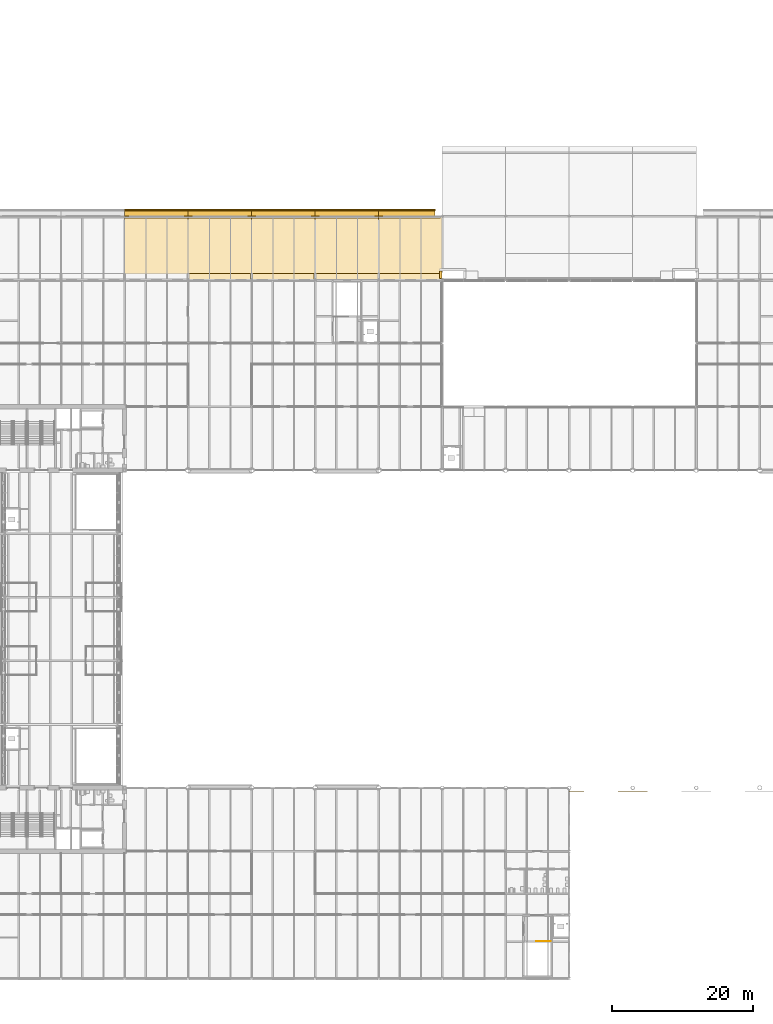
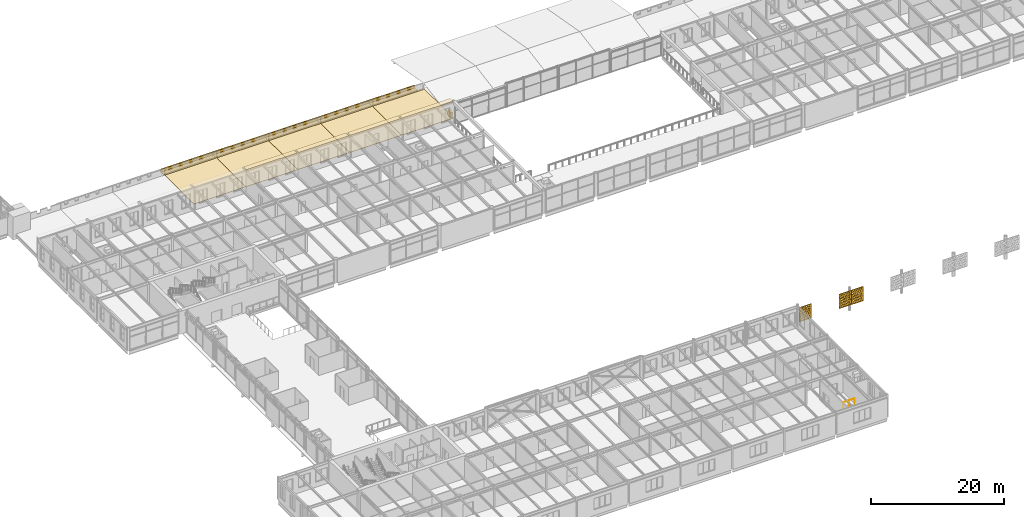
# One storey, part 105 of 123: 15 coverings, 8 shading devices, 1 railing.
"""IFC4 building model written with IfcOpenShell, lengths in metres."""

from ifc_helpers import new_model, si_unit, direction, frame, origin, origin_2d, place, context, subcontext, project, spatial, polyline, rectangle, circle, outline, extrude, material, layer, layer_set, type_object, element, save


model = new_model("IFC4")

# Units and contexts
model_context = context("Model", 3, precision=1e-05, world=origin(), true_north=direction((0.0, 1.0)))
body_context = subcontext(model_context, "Body", "Model", "MODEL_VIEW")
ifc_project = project(units=[si_unit("LENGTHUNIT", "METRE"), si_unit("AREAUNIT", "SQUARE_METRE"), si_unit("VOLUMEUNIT", "CUBIC_METRE"), si_unit("PLANEANGLEUNIT", "RADIAN"), si_unit("MASSUNIT", "GRAM", prefix="KILO")], contexts=[model_context])

# Site, building, storey
site_placement = place(None, origin())
site = spatial("IfcSite", under=ifc_project, at=site_placement, CompositionType="ELEMENT")
building_placement = place(site_placement, origin())
building = spatial("IfcBuilding", under=site, at=building_placement, Name="Baradari Gate Terminus", CompositionType="ELEMENT")
storey_placement = place(building_placement, frame((0.0, 0.0, 7.5)))
storey = spatial("IfcBuildingStorey", under=building, at=storey_placement, Name="L01", CompositionType="ELEMENT", Elevation=7.5)

# Coverings
ifc_material_1 = material(Name="Reconstituted stone cladding", Category="masonry")
ifc_layer_1 = layer(ifc_material_1, 0.199951171875)
ifc_layer_set_1 = layer_set([ifc_layer_1], Name="Reconstituted stone cladding")
covering_type_1 = type_object("IfcCoveringType", Name="Canopy chhajja fascia CF-1 450", PredefinedType="CLADDING", material=ifc_layer_set_1)
for number, where, z_axis, x_axis, name in (
    (1, (94.5, 117.89990234375, 0.89990234375), (0.0, 0.0, 1.0), (1.0, 0.0, 0.0), "Canopy chhajja fascia CF-1 C04"),
    (2, (103.5, 117.89990234375, 0.89990234375), (0.0, 0.0, 1.0), (1.0, 0.0, 0.0), "Canopy chhajja fascia CF-1 C05"),
    (3, (112.5, 117.89990234375, 0.89990234375), (0.0, 0.0, 1.0), (1.0, 0.0, 0.0), "Canopy chhajja fascia CF-1 C06"),
    (4, (121.5, 117.89990234375, 0.89990234375), (0.0, 0.0, 1.0), (1.0, 0.0, 0.0), "Canopy chhajja fascia CF-1 C07"),
):
    element("IfcCovering", number, at=place(storey_placement, frame(where, z_axis=z_axis, x_axis=x_axis)), inside=storey, type_object=covering_type_1, Name=name, PredefinedType="CLADDING", context=body_context, shape_type="SweptSolid", body=[
        extrude(rectangle(XDim=9.0, YDim=0.199951171875, at=origin_2d()), origin(), (0.0, 0.0, 1.0), 0.449951171875),
    ])
covering_1_placement = place(storey_placement, frame((130.0, 117.89990234375, 0.89990234375), z_axis=(0.0, 0.0, 1.0), x_axis=(1.0, 0.0, 0.0)))
element("IfcCovering", 5, at=covering_1_placement, inside=storey, type_object=covering_type_1, Name="Canopy chhajja fascia CF-1 C08", PredefinedType="CLADDING", context=body_context, shape_type="SweptSolid", body=[
    extrude(rectangle(XDim=8.0, YDim=0.199951171875, at=origin_2d()), origin(), (0.0, 0.0, 1.0), 0.449951171875),
])

# Shading devices
ifc_material_2 = material(Name="Concrete C40/50 precast", Category="concrete")
ifc_layer_2 = layer(ifc_material_2, 0.14990234375)
ifc_layer_set_2 = layer_set([ifc_layer_2], Name="Concrete C40/50 precast")
shading_device_type_1 = type_object("IfcShadingDeviceType", Name="Chhajja eave CJ-2 1000x150", PredefinedType="AWNING", material=ifc_layer_set_2)
for number, where, z_axis, x_axis, name in (
    (6, (94.5, 117.5, 0.75), (0.0, 0.0, 1.0), (1.0, 0.0, 0.0), "Chhajja eave CJ-1 C bay 4"),
    (7, (103.5, 117.5, 0.75), (0.0, 0.0, 1.0), (1.0, 0.0, 0.0), "Chhajja eave CJ-1 C bay 5"),
    (8, (112.5, 117.5, 0.75), (0.0, 0.0, 1.0), (1.0, 0.0, 0.0), "Chhajja eave CJ-1 C bay 6"),
    (9, (121.5, 117.5, 0.75), (0.0, 0.0, 1.0), (1.0, 0.0, 0.0), "Chhajja eave CJ-1 C bay 7"),
):
    element("IfcShadingDevice", number, at=place(storey_placement, frame(where, z_axis=z_axis, x_axis=x_axis)), inside=storey, type_object=shading_device_type_1, Name=name, PredefinedType="AWNING", context=body_context, shape_type="SweptSolid", body=[
        extrude(rectangle(XDim=9.0, YDim=1.0, at=origin_2d()), origin(), (0.0, 0.0, 1.0), 0.14990234375),
    ])
shading_device_1_placement = place(storey_placement, frame((130.0, 117.5, 0.75), z_axis=(0.0, 0.0, 1.0), x_axis=(1.0, 0.0, 0.0)))
element("IfcShadingDevice", 10, at=shading_device_1_placement, inside=storey, type_object=shading_device_type_1, Name="Chhajja eave CJ-1 C bay 8", PredefinedType="AWNING", context=body_context, shape_type="SweptSolid", body=[
    extrude(rectangle(XDim=8.0, YDim=1.0, at=origin_2d()), origin(), (0.0, 0.0, 1.0), 0.14990234375),
])

# Railing
ifc_material_3 = material(Name="Stainless steel 1.4301", Category="steel")
railing_type = type_object("IfcRailingType", Name="Guard GR-1 1100", PredefinedType="GUARDRAIL", material=ifc_material_3)
railing_placement = place(storey_placement, frame((150.35009765625, 14.25, 0.0)))
element("IfcRailing", 11, at=railing_placement, inside=storey, type_object=railing_type, Name="Stair guard ST-SW2 at L01 top landing", PredefinedType="GUARDRAIL", context=body_context, shape_type="SweptSolid", body=[
    extrude(circle(Radius=0.02392578125, at=origin_2d()), frame((0.0, 0.0, 1.076171875), z_axis=(-1.0, 0.0, 0.0), x_axis=(0.0, -1.0, 0.0)), (0.0, 0.0, 1.0), 2.010009765625),
    extrude(circle(Radius=0.02099609375, at=origin_2d()), origin(), (0.0, 0.0, 1.0), 1.052001953125),
    extrude(circle(Radius=0.02099609375, at=origin_2d()), frame((-1.0048828125, 0.0, 0.0)), (0.0, 0.0, 1.0), 1.052001953125),
    extrude(circle(Radius=0.02099609375, at=origin_2d()), frame((-2.010009765625, 0.0, 0.0)), (0.0, 0.0, 1.0), 1.052001953125),
])

# Shading devices
ifc_material_4 = material(Name="Concrete C50/60 precast", Category="concrete")
ifc_layer_3 = layer(ifc_material_4, 0.1201171875)
ifc_layer_set_3 = layer_set([ifc_layer_3], Name="Concrete C50/60 precast")
shading_device_type_2 = type_object("IfcShadingDeviceType", Name="Jali screen panel JS-2 120", PredefinedType="SHUTTER", material=ifc_layer_set_3)
shading_device_2_placement = place(storey_placement, frame((153.0, 35.52001953125, 1.27490234375), z_axis=(0.0, 0.0, 1.0), x_axis=(1.0, 0.0, 0.0)))
element("IfcShadingDevice", 12, at=shading_device_2_placement, inside=storey, type_object=shading_device_type_2, Name="Jali screen panel JS-2 SC00a row 4 panel 1", PredefinedType="SHUTTER", context=body_context, shape_type="SweptSolid", body=[
    extrude(outline(polyline([(0.0, 0.0), (2.10009765625, 0.0), (2.10009765625, 2.625), (0.0, 2.625), (0.0, 0.0)]), holes=[polyline([(0.340087890625, 0.21875), (0.27490234375, 0.106201171875), (0.14501953125, 0.106201171875), (0.080078125, 0.21875), (0.14501953125, 0.33154296875), (0.27490234375, 0.33154296875), (0.340087890625, 0.21875)]), polyline([(0.760009765625, 0.21875), (0.695068359375, 0.106201171875), (0.56494140625, 0.106201171875), (0.5, 0.21875), (0.56494140625, 0.33154296875), (0.695068359375, 0.33154296875), (0.760009765625, 0.21875)]), polyline([(1.179931640625, 0.21875), (1.114990234375, 0.106201171875), (0.985107421875, 0.106201171875), (0.919921875, 0.21875), (0.985107421875, 0.33154296875), (1.114990234375, 0.33154296875), (1.179931640625, 0.21875)]), polyline([(1.60009765625, 0.21875), (1.534912109375, 0.106201171875), (1.405029296875, 0.106201171875), (1.340087890625, 0.21875), (1.405029296875, 0.33154296875), (1.534912109375, 0.33154296875), (1.60009765625, 0.21875)]), polyline([(2.02001953125, 0.21875), (1.955078125, 0.106201171875), (1.824951171875, 0.106201171875), (1.760009765625, 0.21875), (1.824951171875, 0.33154296875), (1.955078125, 0.33154296875), (2.02001953125, 0.21875)]), polyline([(0.550048828125, 0.65625), (0.485107421875, 0.543701171875), (0.35498046875, 0.543701171875), (0.2900390625, 0.65625), (0.35498046875, 0.76904296875), (0.485107421875, 0.76904296875), (0.550048828125, 0.65625)]), polyline([(0.969970703125, 0.65625), (0.905029296875, 0.543701171875), (0.77490234375, 0.543701171875), (0.7099609375, 0.65625), (0.77490234375, 0.76904296875), (0.905029296875, 0.76904296875), (0.969970703125, 0.65625)]), polyline([(1.389892578125, 0.65625), (1.324951171875, 0.543701171875), (1.195068359375, 0.543701171875), (1.1298828125, 0.65625), (1.195068359375, 0.76904296875), (1.324951171875, 0.76904296875), (1.389892578125, 0.65625)]), polyline([(1.81005859375, 0.65625), (1.7451171875, 0.543701171875), (1.614990234375, 0.543701171875), (1.550048828125, 0.65625), (1.614990234375, 0.76904296875), (1.7451171875, 0.76904296875), (1.81005859375, 0.65625)]), polyline([(0.340087890625, 1.09375), (0.27490234375, 0.981201171875), (0.14501953125, 0.981201171875), (0.080078125, 1.09375), (0.14501953125, 1.20654296875), (0.27490234375, 1.20654296875), (0.340087890625, 1.09375)]), polyline([(0.760009765625, 1.09375), (0.695068359375, 0.981201171875), (0.56494140625, 0.981201171875), (0.5, 1.09375), (0.56494140625, 1.20654296875), (0.695068359375, 1.20654296875), (0.760009765625, 1.09375)]), polyline([(1.179931640625, 1.09375), (1.114990234375, 0.981201171875), (0.985107421875, 0.981201171875), (0.919921875, 1.09375), (0.985107421875, 1.20654296875), (1.114990234375, 1.20654296875), (1.179931640625, 1.09375)]), polyline([(1.60009765625, 1.09375), (1.534912109375, 0.981201171875), (1.405029296875, 0.981201171875), (1.340087890625, 1.09375), (1.405029296875, 1.20654296875), (1.534912109375, 1.20654296875), (1.60009765625, 1.09375)]), polyline([(2.02001953125, 1.09375), (1.955078125, 0.981201171875), (1.824951171875, 0.981201171875), (1.760009765625, 1.09375), (1.824951171875, 1.20654296875), (1.955078125, 1.20654296875), (2.02001953125, 1.09375)]), polyline([(0.550048828125, 1.53125), (0.485107421875, 1.418701171875), (0.35498046875, 1.418701171875), (0.2900390625, 1.53125), (0.35498046875, 1.64404296875), (0.485107421875, 1.64404296875), (0.550048828125, 1.53125)]), polyline([(0.969970703125, 1.53125), (0.905029296875, 1.418701171875), (0.77490234375, 1.418701171875), (0.7099609375, 1.53125), (0.77490234375, 1.64404296875), (0.905029296875, 1.64404296875), (0.969970703125, 1.53125)]), polyline([(1.389892578125, 1.53125), (1.324951171875, 1.418701171875), (1.195068359375, 1.418701171875), (1.1298828125, 1.53125), (1.195068359375, 1.64404296875), (1.324951171875, 1.64404296875), (1.389892578125, 1.53125)]), polyline([(1.81005859375, 1.53125), (1.7451171875, 1.418701171875), (1.614990234375, 1.418701171875), (1.550048828125, 1.53125), (1.614990234375, 1.64404296875), (1.7451171875, 1.64404296875), (1.81005859375, 1.53125)]), polyline([(0.340087890625, 1.96875), (0.27490234375, 1.856201171875), (0.14501953125, 1.856201171875), (0.080078125, 1.96875), (0.14501953125, 2.08154296875), (0.27490234375, 2.08154296875), (0.340087890625, 1.96875)]), polyline([(0.760009765625, 1.96875), (0.695068359375, 1.856201171875), (0.56494140625, 1.856201171875), (0.5, 1.96875), (0.56494140625, 2.08154296875), (0.695068359375, 2.08154296875), (0.760009765625, 1.96875)]), polyline([(1.179931640625, 1.96875), (1.114990234375, 1.856201171875), (0.985107421875, 1.856201171875), (0.919921875, 1.96875), (0.985107421875, 2.08154296875), (1.114990234375, 2.08154296875), (1.179931640625, 1.96875)]), polyline([(1.60009765625, 1.96875), (1.534912109375, 1.856201171875), (1.405029296875, 1.856201171875), (1.340087890625, 1.96875), (1.405029296875, 2.08154296875), (1.534912109375, 2.08154296875), (1.60009765625, 1.96875)]), polyline([(2.02001953125, 1.96875), (1.955078125, 1.856201171875), (1.824951171875, 1.856201171875), (1.760009765625, 1.96875), (1.824951171875, 2.08154296875), (1.955078125, 2.08154296875), (2.02001953125, 1.96875)]), polyline([(0.550048828125, 2.40625), (0.485107421875, 2.293701171875), (0.35498046875, 2.293701171875), (0.2900390625, 2.40625), (0.35498046875, 2.51904296875), (0.485107421875, 2.51904296875), (0.550048828125, 2.40625)]), polyline([(0.969970703125, 2.40625), (0.905029296875, 2.293701171875), (0.77490234375, 2.293701171875), (0.7099609375, 2.40625), (0.77490234375, 2.51904296875), (0.905029296875, 2.51904296875), (0.969970703125, 2.40625)]), polyline([(1.389892578125, 2.40625), (1.324951171875, 2.293701171875), (1.195068359375, 2.293701171875), (1.1298828125, 2.40625), (1.195068359375, 2.51904296875), (1.324951171875, 2.51904296875), (1.389892578125, 2.40625)]), polyline([(1.81005859375, 2.40625), (1.7451171875, 2.293701171875), (1.614990234375, 2.293701171875), (1.550048828125, 2.40625), (1.614990234375, 2.51904296875), (1.7451171875, 2.51904296875), (1.81005859375, 2.40625)])]), frame((0.0, 0.06005859375, 0.0), z_axis=(0.0, -1.0, 0.0), x_axis=(1.0, 0.0, 0.0)), (0.0, 0.0, 1.0), 0.1201171875),
])
shading_device_3_placement = place(storey_placement, frame((159.89990234375, 35.52001953125, 1.27490234375), z_axis=(0.0, 0.0, 1.0), x_axis=(1.0, 0.0, 0.0)))
element("IfcShadingDevice", 13, at=shading_device_3_placement, inside=storey, type_object=shading_device_type_2, Name="Jali screen panel JS-2 SC00c row 4 panel 1", PredefinedType="SHUTTER", context=body_context, shape_type="SweptSolid", body=[
    extrude(outline(polyline([(0.0, 0.0), (2.10009765625, 0.0), (2.10009765625, 2.625), (0.0, 2.625), (0.0, 0.0)]), holes=[polyline([(0.340087890625, 0.21875), (0.27490234375, 0.106201171875), (0.14501953125, 0.106201171875), (0.080078125, 0.21875), (0.14501953125, 0.33154296875), (0.27490234375, 0.33154296875), (0.340087890625, 0.21875)]), polyline([(0.760009765625, 0.21875), (0.695068359375, 0.106201171875), (0.56494140625, 0.106201171875), (0.5, 0.21875), (0.56494140625, 0.33154296875), (0.695068359375, 0.33154296875), (0.760009765625, 0.21875)]), polyline([(1.179931640625, 0.21875), (1.114990234375, 0.106201171875), (0.985107421875, 0.106201171875), (0.919921875, 0.21875), (0.985107421875, 0.33154296875), (1.114990234375, 0.33154296875), (1.179931640625, 0.21875)]), polyline([(1.60009765625, 0.21875), (1.534912109375, 0.106201171875), (1.405029296875, 0.106201171875), (1.340087890625, 0.21875), (1.405029296875, 0.33154296875), (1.534912109375, 0.33154296875), (1.60009765625, 0.21875)]), polyline([(2.02001953125, 0.21875), (1.955078125, 0.106201171875), (1.824951171875, 0.106201171875), (1.760009765625, 0.21875), (1.824951171875, 0.33154296875), (1.955078125, 0.33154296875), (2.02001953125, 0.21875)]), polyline([(0.550048828125, 0.65625), (0.485107421875, 0.543701171875), (0.35498046875, 0.543701171875), (0.2900390625, 0.65625), (0.35498046875, 0.76904296875), (0.485107421875, 0.76904296875), (0.550048828125, 0.65625)]), polyline([(0.969970703125, 0.65625), (0.905029296875, 0.543701171875), (0.77490234375, 0.543701171875), (0.7099609375, 0.65625), (0.77490234375, 0.76904296875), (0.905029296875, 0.76904296875), (0.969970703125, 0.65625)]), polyline([(1.389892578125, 0.65625), (1.324951171875, 0.543701171875), (1.195068359375, 0.543701171875), (1.1298828125, 0.65625), (1.195068359375, 0.76904296875), (1.324951171875, 0.76904296875), (1.389892578125, 0.65625)]), polyline([(1.81005859375, 0.65625), (1.7451171875, 0.543701171875), (1.614990234375, 0.543701171875), (1.550048828125, 0.65625), (1.614990234375, 0.76904296875), (1.7451171875, 0.76904296875), (1.81005859375, 0.65625)]), polyline([(0.340087890625, 1.09375), (0.27490234375, 0.981201171875), (0.14501953125, 0.981201171875), (0.080078125, 1.09375), (0.14501953125, 1.20654296875), (0.27490234375, 1.20654296875), (0.340087890625, 1.09375)]), polyline([(0.760009765625, 1.09375), (0.695068359375, 0.981201171875), (0.56494140625, 0.981201171875), (0.5, 1.09375), (0.56494140625, 1.20654296875), (0.695068359375, 1.20654296875), (0.760009765625, 1.09375)]), polyline([(1.179931640625, 1.09375), (1.114990234375, 0.981201171875), (0.985107421875, 0.981201171875), (0.919921875, 1.09375), (0.985107421875, 1.20654296875), (1.114990234375, 1.20654296875), (1.179931640625, 1.09375)]), polyline([(1.60009765625, 1.09375), (1.534912109375, 0.981201171875), (1.405029296875, 0.981201171875), (1.340087890625, 1.09375), (1.405029296875, 1.20654296875), (1.534912109375, 1.20654296875), (1.60009765625, 1.09375)]), polyline([(2.02001953125, 1.09375), (1.955078125, 0.981201171875), (1.824951171875, 0.981201171875), (1.760009765625, 1.09375), (1.824951171875, 1.20654296875), (1.955078125, 1.20654296875), (2.02001953125, 1.09375)]), polyline([(0.550048828125, 1.53125), (0.485107421875, 1.418701171875), (0.35498046875, 1.418701171875), (0.2900390625, 1.53125), (0.35498046875, 1.64404296875), (0.485107421875, 1.64404296875), (0.550048828125, 1.53125)]), polyline([(0.969970703125, 1.53125), (0.905029296875, 1.418701171875), (0.77490234375, 1.418701171875), (0.7099609375, 1.53125), (0.77490234375, 1.64404296875), (0.905029296875, 1.64404296875), (0.969970703125, 1.53125)]), polyline([(1.389892578125, 1.53125), (1.324951171875, 1.418701171875), (1.195068359375, 1.418701171875), (1.1298828125, 1.53125), (1.195068359375, 1.64404296875), (1.324951171875, 1.64404296875), (1.389892578125, 1.53125)]), polyline([(1.81005859375, 1.53125), (1.7451171875, 1.418701171875), (1.614990234375, 1.418701171875), (1.550048828125, 1.53125), (1.614990234375, 1.64404296875), (1.7451171875, 1.64404296875), (1.81005859375, 1.53125)]), polyline([(0.340087890625, 1.96875), (0.27490234375, 1.856201171875), (0.14501953125, 1.856201171875), (0.080078125, 1.96875), (0.14501953125, 2.08154296875), (0.27490234375, 2.08154296875), (0.340087890625, 1.96875)]), polyline([(0.760009765625, 1.96875), (0.695068359375, 1.856201171875), (0.56494140625, 1.856201171875), (0.5, 1.96875), (0.56494140625, 2.08154296875), (0.695068359375, 2.08154296875), (0.760009765625, 1.96875)]), polyline([(1.179931640625, 1.96875), (1.114990234375, 1.856201171875), (0.985107421875, 1.856201171875), (0.919921875, 1.96875), (0.985107421875, 2.08154296875), (1.114990234375, 2.08154296875), (1.179931640625, 1.96875)]), polyline([(1.60009765625, 1.96875), (1.534912109375, 1.856201171875), (1.405029296875, 1.856201171875), (1.340087890625, 1.96875), (1.405029296875, 2.08154296875), (1.534912109375, 2.08154296875), (1.60009765625, 1.96875)]), polyline([(2.02001953125, 1.96875), (1.955078125, 1.856201171875), (1.824951171875, 1.856201171875), (1.760009765625, 1.96875), (1.824951171875, 2.08154296875), (1.955078125, 2.08154296875), (2.02001953125, 1.96875)]), polyline([(0.550048828125, 2.40625), (0.485107421875, 2.293701171875), (0.35498046875, 2.293701171875), (0.2900390625, 2.40625), (0.35498046875, 2.51904296875), (0.485107421875, 2.51904296875), (0.550048828125, 2.40625)]), polyline([(0.969970703125, 2.40625), (0.905029296875, 2.293701171875), (0.77490234375, 2.293701171875), (0.7099609375, 2.40625), (0.77490234375, 2.51904296875), (0.905029296875, 2.51904296875), (0.969970703125, 2.40625)]), polyline([(1.389892578125, 2.40625), (1.324951171875, 2.293701171875), (1.195068359375, 2.293701171875), (1.1298828125, 2.40625), (1.195068359375, 2.51904296875), (1.324951171875, 2.51904296875), (1.389892578125, 2.40625)]), polyline([(1.81005859375, 2.40625), (1.7451171875, 2.293701171875), (1.614990234375, 2.293701171875), (1.550048828125, 2.40625), (1.614990234375, 2.51904296875), (1.7451171875, 2.51904296875), (1.81005859375, 2.40625)])]), frame((0.0, 0.06005859375, 0.0), z_axis=(0.0, -1.0, 0.0), x_axis=(1.0, 0.0, 0.0)), (0.0, 0.0, 1.0), 0.1201171875),
])
shading_device_4_placement = place(storey_placement, frame((162.0, 35.52001953125, 1.27490234375), z_axis=(0.0, 0.0, 1.0), x_axis=(1.0, 0.0, 0.0)))
element("IfcShadingDevice", 14, at=shading_device_4_placement, inside=storey, type_object=shading_device_type_2, Name="Jali screen panel JS-2 SC01a row 4 panel 1", PredefinedType="SHUTTER", context=body_context, shape_type="SweptSolid", body=[
    extrude(outline(polyline([(0.0, 0.0), (2.10009765625, 0.0), (2.10009765625, 2.625), (0.0, 2.625), (0.0, 0.0)]), holes=[polyline([(0.340087890625, 0.21875), (0.27490234375, 0.106201171875), (0.14501953125, 0.106201171875), (0.080078125, 0.21875), (0.14501953125, 0.33154296875), (0.27490234375, 0.33154296875), (0.340087890625, 0.21875)]), polyline([(0.760009765625, 0.21875), (0.695068359375, 0.106201171875), (0.56494140625, 0.106201171875), (0.5, 0.21875), (0.56494140625, 0.33154296875), (0.695068359375, 0.33154296875), (0.760009765625, 0.21875)]), polyline([(1.179931640625, 0.21875), (1.114990234375, 0.106201171875), (0.985107421875, 0.106201171875), (0.919921875, 0.21875), (0.985107421875, 0.33154296875), (1.114990234375, 0.33154296875), (1.179931640625, 0.21875)]), polyline([(1.60009765625, 0.21875), (1.534912109375, 0.106201171875), (1.405029296875, 0.106201171875), (1.340087890625, 0.21875), (1.405029296875, 0.33154296875), (1.534912109375, 0.33154296875), (1.60009765625, 0.21875)]), polyline([(2.02001953125, 0.21875), (1.955078125, 0.106201171875), (1.824951171875, 0.106201171875), (1.760009765625, 0.21875), (1.824951171875, 0.33154296875), (1.955078125, 0.33154296875), (2.02001953125, 0.21875)]), polyline([(0.550048828125, 0.65625), (0.485107421875, 0.543701171875), (0.35498046875, 0.543701171875), (0.2900390625, 0.65625), (0.35498046875, 0.76904296875), (0.485107421875, 0.76904296875), (0.550048828125, 0.65625)]), polyline([(0.969970703125, 0.65625), (0.905029296875, 0.543701171875), (0.77490234375, 0.543701171875), (0.7099609375, 0.65625), (0.77490234375, 0.76904296875), (0.905029296875, 0.76904296875), (0.969970703125, 0.65625)]), polyline([(1.389892578125, 0.65625), (1.324951171875, 0.543701171875), (1.195068359375, 0.543701171875), (1.1298828125, 0.65625), (1.195068359375, 0.76904296875), (1.324951171875, 0.76904296875), (1.389892578125, 0.65625)]), polyline([(1.81005859375, 0.65625), (1.7451171875, 0.543701171875), (1.614990234375, 0.543701171875), (1.550048828125, 0.65625), (1.614990234375, 0.76904296875), (1.7451171875, 0.76904296875), (1.81005859375, 0.65625)]), polyline([(0.340087890625, 1.09375), (0.27490234375, 0.981201171875), (0.14501953125, 0.981201171875), (0.080078125, 1.09375), (0.14501953125, 1.20654296875), (0.27490234375, 1.20654296875), (0.340087890625, 1.09375)]), polyline([(0.760009765625, 1.09375), (0.695068359375, 0.981201171875), (0.56494140625, 0.981201171875), (0.5, 1.09375), (0.56494140625, 1.20654296875), (0.695068359375, 1.20654296875), (0.760009765625, 1.09375)]), polyline([(1.179931640625, 1.09375), (1.114990234375, 0.981201171875), (0.985107421875, 0.981201171875), (0.919921875, 1.09375), (0.985107421875, 1.20654296875), (1.114990234375, 1.20654296875), (1.179931640625, 1.09375)]), polyline([(1.60009765625, 1.09375), (1.534912109375, 0.981201171875), (1.405029296875, 0.981201171875), (1.340087890625, 1.09375), (1.405029296875, 1.20654296875), (1.534912109375, 1.20654296875), (1.60009765625, 1.09375)]), polyline([(2.02001953125, 1.09375), (1.955078125, 0.981201171875), (1.824951171875, 0.981201171875), (1.760009765625, 1.09375), (1.824951171875, 1.20654296875), (1.955078125, 1.20654296875), (2.02001953125, 1.09375)]), polyline([(0.550048828125, 1.53125), (0.485107421875, 1.418701171875), (0.35498046875, 1.418701171875), (0.2900390625, 1.53125), (0.35498046875, 1.64404296875), (0.485107421875, 1.64404296875), (0.550048828125, 1.53125)]), polyline([(0.969970703125, 1.53125), (0.905029296875, 1.418701171875), (0.77490234375, 1.418701171875), (0.7099609375, 1.53125), (0.77490234375, 1.64404296875), (0.905029296875, 1.64404296875), (0.969970703125, 1.53125)]), polyline([(1.389892578125, 1.53125), (1.324951171875, 1.418701171875), (1.195068359375, 1.418701171875), (1.1298828125, 1.53125), (1.195068359375, 1.64404296875), (1.324951171875, 1.64404296875), (1.389892578125, 1.53125)]), polyline([(1.81005859375, 1.53125), (1.7451171875, 1.418701171875), (1.614990234375, 1.418701171875), (1.550048828125, 1.53125), (1.614990234375, 1.64404296875), (1.7451171875, 1.64404296875), (1.81005859375, 1.53125)]), polyline([(0.340087890625, 1.96875), (0.27490234375, 1.856201171875), (0.14501953125, 1.856201171875), (0.080078125, 1.96875), (0.14501953125, 2.08154296875), (0.27490234375, 2.08154296875), (0.340087890625, 1.96875)]), polyline([(0.760009765625, 1.96875), (0.695068359375, 1.856201171875), (0.56494140625, 1.856201171875), (0.5, 1.96875), (0.56494140625, 2.08154296875), (0.695068359375, 2.08154296875), (0.760009765625, 1.96875)]), polyline([(1.179931640625, 1.96875), (1.114990234375, 1.856201171875), (0.985107421875, 1.856201171875), (0.919921875, 1.96875), (0.985107421875, 2.08154296875), (1.114990234375, 2.08154296875), (1.179931640625, 1.96875)]), polyline([(1.60009765625, 1.96875), (1.534912109375, 1.856201171875), (1.405029296875, 1.856201171875), (1.340087890625, 1.96875), (1.405029296875, 2.08154296875), (1.534912109375, 2.08154296875), (1.60009765625, 1.96875)]), polyline([(2.02001953125, 1.96875), (1.955078125, 1.856201171875), (1.824951171875, 1.856201171875), (1.760009765625, 1.96875), (1.824951171875, 2.08154296875), (1.955078125, 2.08154296875), (2.02001953125, 1.96875)]), polyline([(0.550048828125, 2.40625), (0.485107421875, 2.293701171875), (0.35498046875, 2.293701171875), (0.2900390625, 2.40625), (0.35498046875, 2.51904296875), (0.485107421875, 2.51904296875), (0.550048828125, 2.40625)]), polyline([(0.969970703125, 2.40625), (0.905029296875, 2.293701171875), (0.77490234375, 2.293701171875), (0.7099609375, 2.40625), (0.77490234375, 2.51904296875), (0.905029296875, 2.51904296875), (0.969970703125, 2.40625)]), polyline([(1.389892578125, 2.40625), (1.324951171875, 2.293701171875), (1.195068359375, 2.293701171875), (1.1298828125, 2.40625), (1.195068359375, 2.51904296875), (1.324951171875, 2.51904296875), (1.389892578125, 2.40625)]), polyline([(1.81005859375, 2.40625), (1.7451171875, 2.293701171875), (1.614990234375, 2.293701171875), (1.550048828125, 2.40625), (1.614990234375, 2.51904296875), (1.7451171875, 2.51904296875), (1.81005859375, 2.40625)])]), frame((0.0, 0.06005859375, 0.0), z_axis=(0.0, -1.0, 0.0), x_axis=(1.0, 0.0, 0.0)), (0.0, 0.0, 1.0), 0.1201171875),
])

# Coverings
ifc_material_5 = material(Name="Sandstone cladding", Category="masonry")
ifc_layer_4 = layer(ifc_material_5, 0.35009765625)
ifc_layer_set_4 = layer_set([ifc_layer_4], Name="Sandstone cladding")
covering_type_2 = type_object("IfcCoveringType", Name="Pishtaq pier base PF-3 350", PredefinedType="CLADDING", material=ifc_layer_set_4)
covering_2_placement = place(storey_placement, frame((134.824951171875, 108.699951171875, 0.9599609375), z_axis=(0.0, 0.0, 1.0), x_axis=(1.0, 0.0, 0.0)))
element("IfcCovering", 15, at=covering_2_placement, inside=storey, type_object=covering_type_2, Name="Pishtaq pier base PF-3 west pier W face", PredefinedType="CLADDING", context=body_context, shape_type="SweptSolid", body=[
    extrude(rectangle(XDim=0.35009765625, YDim=1.0, at=origin_2d()), origin(), (0.0, 0.0, 1.0), 0.89990234375),
])
ifc_material_6 = material(Name="Concrete C40/50", Category="concrete")
covering_type_3 = type_object("IfcCoveringType", Name="Precast cornice band", PredefinedType="CLADDING", material=ifc_material_6)
for number, where, z_axis, x_axis, name in (
    (16, (103.5, 108.45361328125, 3.650146484375), (0.0, 0.0, 1.0), (1.0, 0.0, 0.0), "RF/L01/CO-11"),
    (17, (112.5, 108.45361328125, 3.650146484375), (0.0, 0.0, 1.0), (1.0, 0.0, 0.0), "RF/L01/CO-12"),
    (18, (121.5, 108.45361328125, 3.650146484375), (0.0, 0.0, 1.0), (1.0, 0.0, 0.0), "RF/L01/CO-13"),
    (19, (130.5, 108.45361328125, 3.650146484375), (0.0, 0.0, 1.0), (1.0, 0.0, 0.0), "RF/L01/CO-14"),
):
    element("IfcCovering", number, at=place(storey_placement, frame(where, z_axis=z_axis, x_axis=x_axis)), inside=storey, type_object=covering_type_3, Name=name, PredefinedType="CLADDING", context=body_context, shape_type="SweptSolid", body=[
        extrude(rectangle(XDim=8.74365234375, YDim=0.89990234375, at=origin_2d()), origin(), (0.0, 0.0, 1.0), 0.39990234375),
    ])
ifc_material_7 = material(Name="Terracotta roof tiles", Category="masonry")
ifc_layer_5 = layer(ifc_material_7, 0.06005859375)
ifc_layer_set_5 = layer_set([ifc_layer_5], Name="Terracotta roof tiles")
covering_type_4 = type_object("IfcCoveringType", Name="Terracotta roof tiles RT-1 60", PredefinedType="ROOFING", material=ifc_layer_set_5)
covering_3_placement = place(storey_placement, frame((0.0, 0.0, 0.89990234375)))
element("IfcCovering", 20, at=covering_3_placement, inside=storey, type_object=covering_type_4, Name="Terracotta roof tiles RT-1 C04", PredefinedType="ROOFING", context=body_context, shape_type="SweptSolid", body=[
    extrude(outline(polyline([(90.0, 117.0), (99.0, 117.0), (99.0, 108.130126953125), (98.871826171875, 108.130126953125), (98.871826171875, 108.00341796875), (90.128173828125, 108.00341796875), (90.128173828125, 108.130126953125), (90.0, 108.130126953125), (90.0, 117.0)]), holes=[polyline([(98.949951171875, 116.75), (98.949951171875, 116.949951171875), (90.050048828125, 116.949951171875), (90.050048828125, 116.75), (98.949951171875, 116.75)])]), origin(), (0.0, 0.0, 1.0), 0.06005859375),
])
covering_4_placement = place(storey_placement, frame((0.0, 0.0, 0.89990234375)))
element("IfcCovering", 21, at=covering_4_placement, inside=storey, type_object=covering_type_4, Name="Terracotta roof tiles RT-1 C05", PredefinedType="ROOFING", context=body_context, shape_type="SweptSolid", body=[
    extrude(outline(polyline([(99.0, 117.0), (108.0, 117.0), (108.0, 108.130126953125), (107.871826171875, 108.130126953125), (107.871826171875, 108.00341796875), (99.128173828125, 108.00341796875), (99.128173828125, 108.130126953125), (99.0, 108.130126953125), (99.0, 117.0)]), holes=[polyline([(107.949951171875, 116.75), (107.949951171875, 116.949951171875), (99.050048828125, 116.949951171875), (99.050048828125, 116.75), (107.949951171875, 116.75)])]), origin(), (0.0, 0.0, 1.0), 0.06005859375),
])
covering_5_placement = place(storey_placement, frame((0.0, 0.0, 0.89990234375)))
element("IfcCovering", 22, at=covering_5_placement, inside=storey, type_object=covering_type_4, Name="Terracotta roof tiles RT-1 C06", PredefinedType="ROOFING", context=body_context, shape_type="SweptSolid", body=[
    extrude(outline(polyline([(108.0, 117.0), (117.0, 117.0), (117.0, 108.130126953125), (116.871826171875, 108.130126953125), (116.871826171875, 108.00341796875), (108.128173828125, 108.00341796875), (108.128173828125, 108.130126953125), (108.0, 108.130126953125), (108.0, 117.0)]), holes=[polyline([(116.949951171875, 116.949951171875), (108.050048828125, 116.949951171875), (108.050048828125, 116.75), (116.949951171875, 116.75), (116.949951171875, 116.949951171875)])]), origin(), (0.0, 0.0, 1.0), 0.06005859375),
])
covering_6_placement = place(storey_placement, frame((0.0, 0.0, 0.89990234375)))
element("IfcCovering", 23, at=covering_6_placement, inside=storey, type_object=covering_type_4, Name="Terracotta roof tiles RT-1 C07", PredefinedType="ROOFING", context=body_context, shape_type="SweptSolid", body=[
    extrude(outline(polyline([(117.0, 117.0), (126.0, 117.0), (126.0, 108.130126953125), (125.871826171875, 108.130126953125), (125.871826171875, 108.00341796875), (117.128173828125, 108.00341796875), (117.128173828125, 108.130126953125), (117.0, 108.130126953125), (117.0, 117.0)]), holes=[polyline([(125.949951171875, 116.949951171875), (117.050048828125, 116.949951171875), (117.050048828125, 116.75), (125.949951171875, 116.75), (125.949951171875, 116.949951171875)])]), origin(), (0.0, 0.0, 1.0), 0.06005859375),
])
covering_7_placement = place(storey_placement, frame((0.0, 0.0, 0.89990234375)))
element("IfcCovering", 24, at=covering_7_placement, inside=storey, type_object=covering_type_4, Name="Terracotta roof tiles RT-1 C08", PredefinedType="ROOFING", context=body_context, shape_type="SweptSolid", body=[
    extrude(outline(polyline([(135.0, 108.130126953125), (134.871826171875, 108.130126953125), (134.871826171875, 108.00341796875), (126.128173828125, 108.00341796875), (126.128173828125, 108.130126953125), (126.0, 108.130126953125), (126.0, 117.0), (134.877685546875, 117.0), (134.877685546875, 116.877685546875), (135.0, 116.877685546875), (135.0, 109.199951171875), (135.0, 108.199951171875), (135.0, 108.130126953125)]), holes=[polyline([(134.77490234375, 116.949951171875), (126.050048828125, 116.949951171875), (126.050048828125, 116.75), (134.77490234375, 116.75), (134.77490234375, 116.949951171875)])]), origin(), (0.0, 0.0, 1.0), 0.06005859375),
])

save(model, "model.ifc")
